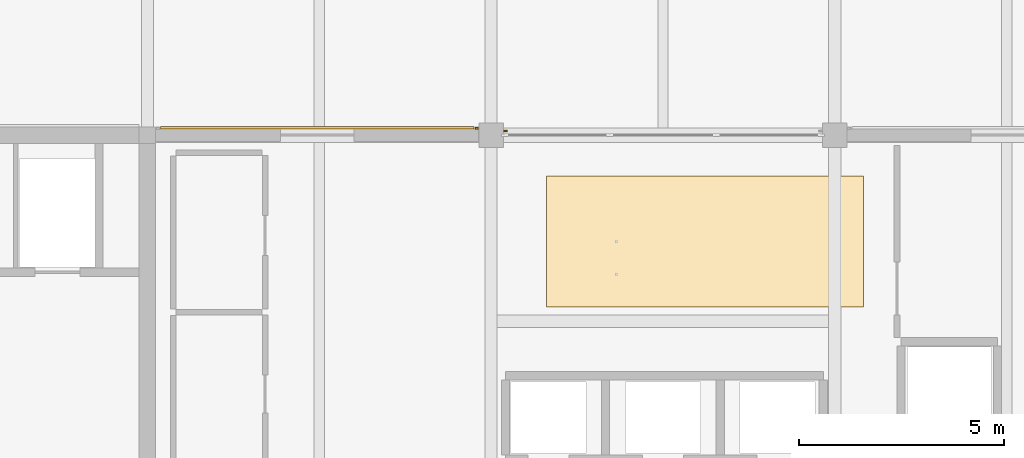
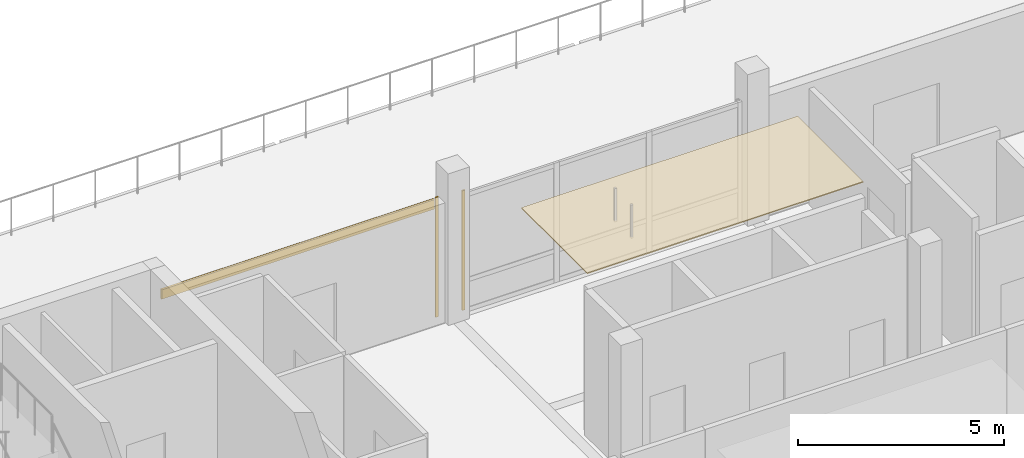
# One storey, part 20 of 25: 4 coverings.
"""IFC4 building model written with IfcOpenShell, lengths in metres."""

from ifc_helpers import new_model, si_unit, direction, frame, origin, origin_2d, place, context, subcontext, project, spatial, polyline, rectangle, outline, extrude, material, layer, layer_set, type_object, element, save


model = new_model("IFC4")

# Units and contexts
model_context = context("Model", 3, precision=1e-05, world=origin(), true_north=direction((0.0, 1.0)))
body_context = subcontext(model_context, "Body", "Model", "MODEL_VIEW")
ifc_project = project(units=[si_unit("LENGTHUNIT", "METRE"), si_unit("AREAUNIT", "SQUARE_METRE"), si_unit("VOLUMEUNIT", "CUBIC_METRE"), si_unit("PLANEANGLEUNIT", "RADIAN"), si_unit("MASSUNIT", "GRAM", prefix="KILO")], contexts=[model_context])

# Site, building, storey
site_placement = place(None, origin())
site = spatial("IfcSite", under=ifc_project, at=site_placement, CompositionType="ELEMENT")
building_placement = place(site_placement, origin())
building = spatial("IfcBuilding", under=site, at=building_placement, Name="Telukmera Botanical Conservatory", CompositionType="ELEMENT")
storey_placement = place(building_placement, frame((0.0, 0.0, 64.5)))
storey = spatial("IfcBuildingStorey", under=building, at=storey_placement, Name="L14", CompositionType="ELEMENT", Elevation=64.5)

# Coverings
ifc_material_1 = material(Name="Mineral fibre acoustic ceiling")
ifc_layer_1 = layer(ifc_material_1, 0.030029296875)
ifc_layer_set_1 = layer_set([ifc_layer_1], Name="Mineral fibre acoustic ceiling")
covering_type_1 = type_object("IfcCoveringType", Name="COV-CEIL-30", PredefinedType="CEILING", material=ifc_layer_set_1)
covering_1_placement = place(storey_placement, frame((0.0, 0.0, 3.320068359375)))
element("IfcCovering", 1, at=covering_1_placement, inside=storey, type_object=covering_type_1, Name="L14 Symposium Interpretation Studio Suspended Acoustic Ceiling", PredefinedType="CEILING", context=body_context, shape_type="SweptSolid", body=[
    extrude(outline(polyline([(76.949951171875, 30.199951171875), (84.699951171875, 30.199951171875), (84.699951171875, 33.39990234375), (76.949951171875, 33.39990234375), (76.949951171875, 30.199951171875)])), origin(), (0.0, 0.0, 1.0), 0.030029296875),
])
ifc_material_2 = material(Name="Granite-faced precast concrete C40/50", Category="masonry")
ifc_layer_2 = layer(ifc_material_2, 0.0400390625)
ifc_layer_set_2 = layer_set([ifc_layer_2], Name="Granite-faced precast concrete C40/50")
covering_type_2 = type_object("IfcCoveringType", Name="Granite Precast Column Pier Reveal Casing", PredefinedType="CLADDING", material=ifc_layer_set_2)
for number, where, z_axis, x_axis, name in (
    (2, (75.248046875, 34.570068359375, 0.0), (0.0, 0.0, 1.0), (1.0, 0.0, 0.0), "Granite Pier Reveal V4:L14:N2 R"),
    (3, (75.951904296875, 34.5, 0.0), (0.0, 0.0, 1.0), (1.0, 0.0, 0.0), "Granite Pier Reveal V4:L14:N3 L"),
):
    element("IfcCovering", number, at=place(storey_placement, frame(where, z_axis=z_axis, x_axis=x_axis)), inside=storey, type_object=covering_type_2, Name=name, PredefinedType="CLADDING", context=body_context, shape_type="SweptSolid", body=[
        extrude(rectangle(XDim=0.080078125, YDim=0.0400390625, at=origin_2d()), origin(), (0.0, 0.0, 1.0), 3.550048828125),
    ])
ifc_material_3 = material(Name="Terracotta-faced precast concrete C40/50", Category="masonry")
ifc_layer_3 = layer(ifc_material_3, 0.06005859375)
ifc_layer_set_3 = layer_set([ifc_layer_3], Name="Terracotta-faced precast concrete C40/50")
covering_type_3 = type_object("IfcCoveringType", Name="Polychrome Terracotta Facade Band Cladding", PredefinedType="CLADDING", material=ifc_layer_set_3)
covering_2_placement = place(storey_placement, frame((71.35009765625, 34.580078125, 3.22998046875), z_axis=(0.0, 0.0, 1.0), x_axis=(1.0, 0.0, 0.0)))
element("IfcCovering", 4, at=covering_2_placement, inside=storey, type_object=covering_type_3, Name="Polychrome Terracotta Band V4:L14:N2", PredefinedType="CLADDING", context=body_context, shape_type="SweptSolid", body=[
    extrude(rectangle(XDim=7.656005859375, YDim=0.06005859375, at=origin_2d()), origin(), (0.0, 0.0, 1.0), 0.280029296875),
])

save(model, "model.ifc")
